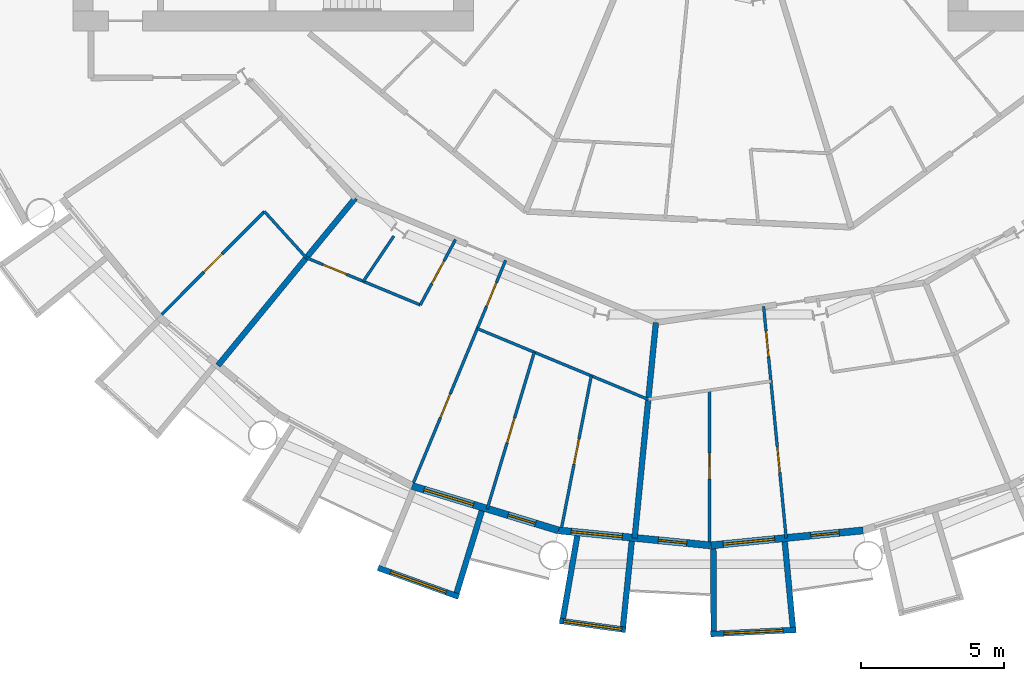
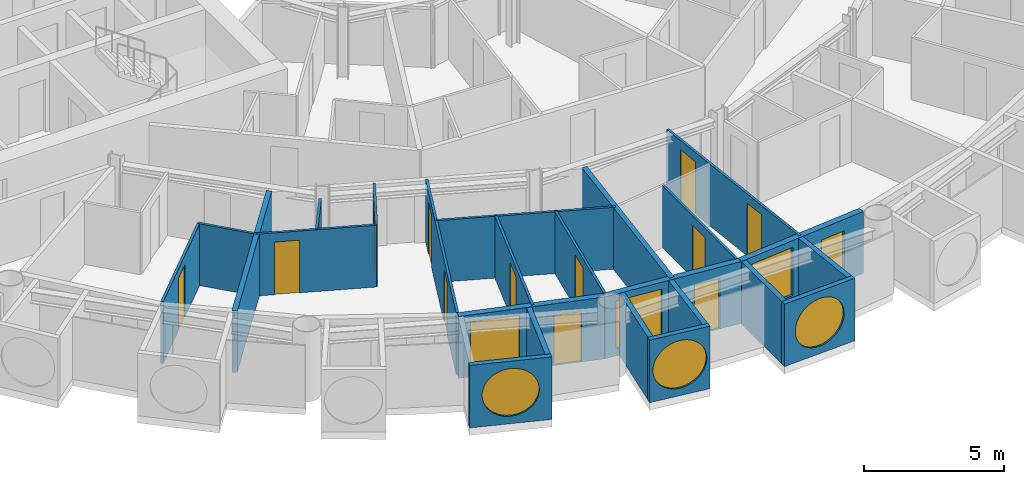
# One storey, part 13 of 26: 24 walls, 13 doors, 6 windows, 19 openings.
"""IFC4 building model written with IfcOpenShell, lengths in metres."""

from ifc_helpers import new_model, si_unit, direction, frame, frame_2d, origin, place, context, subcontext, project, spatial, rectangle, circle, extrude, material, layer, layer_set, type_object, element, fill, save


model = new_model("IFC4")

# Units and contexts
model_context = context("Model", 3, precision=1e-05, world=origin(), true_north=direction((0.0, 1.0)))
body_context = subcontext(model_context, "Body", "Model", "MODEL_VIEW")
ifc_project = project(units=[si_unit("LENGTHUNIT", "METRE"), si_unit("AREAUNIT", "SQUARE_METRE"), si_unit("VOLUMEUNIT", "CUBIC_METRE"), si_unit("PLANEANGLEUNIT", "RADIAN"), si_unit("MASSUNIT", "GRAM", prefix="KILO")], contexts=[model_context])

# Site, building, storey
site_placement = place(None, origin())
site = spatial("IfcSite", under=ifc_project, at=site_placement, CompositionType="ELEMENT")
building_placement = place(site_placement, origin())
building = spatial("IfcBuilding", under=site, at=building_placement, Name="Maasbend Ring Residences", CompositionType="ELEMENT")
storey_placement = place(building_placement, frame((0.0, 0.0, 75.800048828125)))
storey = spatial("IfcBuildingStorey", under=building, at=storey_placement, Name="L21", CompositionType="ELEMENT", Elevation=75.800048828125)

# Wall, opening, window
ifc_material_1 = material(Name="Pale anodised aluminium panel", Category="aluminium")
ifc_layer_1 = layer(ifc_material_1, 0.199951171875)
ifc_layer_set_1 = layer_set([ifc_layer_1], Name="EW-BOX")
wall_type_1 = type_object("IfcWallType", Name="EW-BOX", PredefinedType="SOLIDWALL", material=ifc_layer_set_1)
wall_1_placement = place(storey_placement, frame((-11.637939453125, -28.083984375, -0.030029296875), z_axis=(0.0, 0.0, 1.0), x_axis=(0.941461077774, -0.337121697664, 0.0)))
wall_1 = element("IfcWall", 1, at=wall_1_placement, inside=storey, type_object=wall_type_1, Name="Box front S07", PredefinedType="SOLIDWALL", context=body_context, shape_type="SweptSolid", body=[
    extrude(rectangle(XDim=2.9931640625, YDim=0.199951171875, at=frame_2d((1.49658203125, 0.0))), origin(), (0.0, 0.0, 1.0), 2.72998046875),
])
opening_1_placement = place(wall_1_placement, frame((0.45654296875, 0.0, 0.330078125)))
opening_1 = element("IfcOpeningElement", 2, at=opening_1_placement, cuts=wall_1, Name="Opening W-RD", PredefinedType="OPENING", context=body_context, shape_type="SweptSolid", body=[
    extrude(circle(Radius=1.0400390625, at=frame_2d((1.0400390625, 1.0400390625))), frame((0.0, 0.10986328125, 0.0), z_axis=(0.0, -1.0, 0.0), x_axis=(1.0, 0.0, 0.0)), (0.0, 0.0, 1.0), 0.219970703125),
])
ifc_material_2 = material(Name="Aluminium and clear glass", Category="aluminium")
window_type_1 = type_object("IfcWindowType", Name="W-RD", PartitioningType="SINGLE_PANEL", PredefinedType="WINDOW", material=ifc_material_2)
window_1_placement = place(opening_1_placement, origin())
window_1 = element("IfcWindow", 3, at=window_1_placement, inside=storey, type_object=window_type_1, Name="Round window S07", OverallHeight=2.080078125, OverallWidth=2.080078125, PartitioningType="SINGLE_PANEL", PredefinedType="WINDOW", context=body_context, shape_type="SweptSolid", body=[
    extrude(circle(Radius=1.0400390625, at=frame_2d((1.0400390625, 1.0400390625))), frame((0.0, 0.030029296875, 0.0), z_axis=(0.0, -1.0, 0.0), x_axis=(1.0, 0.0, 0.0)), (0.0, 0.0, 1.0), 0.06005859375),
])
fill(opening_1, window_1)

# Wall
wall_2_placement = place(storey_placement, frame((-8.009033203125, -26.092041015625, -0.030029296875), z_axis=(0.0, 0.0, 1.0), x_axis=(-0.293406695073, -0.955987715029, 0.0)))
element("IfcWall", 4, at=wall_2_placement, inside=storey, type_object=wall_type_1, Name="Box side wall S07 right", PredefinedType="SOLIDWALL", context=body_context, shape_type="SweptSolid", body=[
    extrude(rectangle(XDim=3.00634765625, YDim=0.199951171875, at=frame_2d((1.503173828125, 0.0))), origin(), (0.0, 0.0, 1.0), 2.72998046875),
])

# Wall, opening, window
wall_3_placement = place(storey_placement, frame((-5.2900390625, -29.93603515625, -0.030029296875), z_axis=(0.0, 0.0, 1.0), x_axis=(0.990696111261, -0.136092671119, 0.0)))
wall_3 = element("IfcWall", 5, at=wall_3_placement, inside=storey, type_object=wall_type_1, Name="Box front S09", PredefinedType="SOLIDWALL", context=body_context, shape_type="SweptSolid", body=[
    extrude(rectangle(XDim=2.335693359375, YDim=0.199951171875, at=frame_2d((1.16796875, 0.0))), origin(), (0.0, 0.0, 1.0), 2.72998046875),
])
opening_2_placement = place(wall_3_placement, frame((0.128173828125, 0.0, 0.330078125)))
opening_2 = element("IfcOpeningElement", 6, at=opening_2_placement, cuts=wall_3, Name="Opening W-RD", PredefinedType="OPENING", context=body_context, shape_type="SweptSolid", body=[
    extrude(circle(Radius=1.0400390625, at=frame_2d((1.0400390625, 1.0400390625))), frame((0.0, 0.10986328125, 0.0), z_axis=(0.0, -1.0, 0.0), x_axis=(1.0, 0.0, 0.0)), (0.0, 0.0, 1.0), 0.219970703125),
])
window_2_placement = place(opening_2_placement, origin())
window_2 = element("IfcWindow", 7, at=window_2_placement, inside=storey, type_object=window_type_1, Name="Round window S09", OverallHeight=2.080078125, OverallWidth=2.080078125, PartitioningType="SINGLE_PANEL", PredefinedType="WINDOW", context=body_context, shape_type="SweptSolid", body=[
    extrude(circle(Radius=1.0400390625, at=frame_2d((1.0400390625, 1.0400390625))), frame((0.0, 0.030029296875, 0.0), z_axis=(0.0, -1.0, 0.0), x_axis=(1.0, 0.0, 0.0)), (0.0, 0.0, 1.0), 0.06005859375),
])
fill(opening_2, window_2)

# Walls
wall_4_placement = place(storey_placement, frame((-4.6708984375, -26.966064453125, -0.030029296875), z_axis=(0.0, 0.0, 1.0), x_axis=(-0.170539878907, -0.985350774954, 0.0)))
element("IfcWall", 8, at=wall_4_placement, inside=storey, type_object=wall_type_1, Name="Box side wall S09 left", PredefinedType="SOLIDWALL", context=body_context, shape_type="SweptSolid", body=[
    extrude(rectangle(XDim=2.931884765625, YDim=0.199951171875, at=frame_2d((1.4658203125, 0.0))), origin(), (0.0, 0.0, 1.0), 2.72998046875),
])
wall_5_placement = place(storey_placement, frame((-2.763916015625, -27.153076171875, -0.030029296875), z_axis=(0.0, 0.0, 1.0), x_axis=(-0.101505487237, -0.994834979311, 0.0)))
element("IfcWall", 9, at=wall_5_placement, inside=storey, type_object=wall_type_1, Name="Box side wall S09 right", PredefinedType="SOLIDWALL", context=body_context, shape_type="SweptSolid", body=[
    extrude(rectangle(XDim=3.006591796875, YDim=0.199951171875, at=frame_2d((1.50341796875, 0.0))), origin(), (0.0, 0.0, 1.0), 2.72998046875),
])

# Wall, opening, window
wall_6_placement = place(storey_placement, frame((-0.0048828125, -30.39990234375, -0.030029296875), z_axis=(0.0, 0.0, 1.0), x_axis=(0.998794083011, 0.049095618353, 0.0)))
wall_6 = element("IfcWall", 10, at=wall_6_placement, inside=storey, type_object=wall_type_1, Name="Box front S11", PredefinedType="SOLIDWALL", context=body_context, shape_type="SweptSolid", body=[
    extrude(rectangle(XDim=2.99365234375, YDim=0.199951171875, at=frame_2d((1.496826171875, 0.0))), origin(), (0.0, 0.0, 1.0), 2.72998046875),
])
opening_3_placement = place(wall_6_placement, frame((0.45654296875, 0.0, 0.330078125)))
opening_3 = element("IfcOpeningElement", 11, at=opening_3_placement, cuts=wall_6, Name="Opening W-RD", PredefinedType="OPENING", context=body_context, shape_type="SweptSolid", body=[
    extrude(circle(Radius=1.0400390625, at=frame_2d((1.0400390625, 1.0400390625))), frame((0.0, 0.10986328125, 0.0), z_axis=(0.0, -1.0, 0.0), x_axis=(1.0, 0.0, 0.0)), (0.0, 0.0, 1.0), 0.219970703125),
])
window_3_placement = place(opening_3_placement, origin())
window_3 = element("IfcWindow", 12, at=window_3_placement, inside=storey, type_object=window_type_1, Name="Round window S11", OverallHeight=2.080078125, OverallWidth=2.080078125, PartitioningType="SINGLE_PANEL", PredefinedType="WINDOW", context=body_context, shape_type="SweptSolid", body=[
    extrude(circle(Radius=1.0400390625, at=frame_2d((1.0400390625, 1.0400390625))), frame((0.0, 0.030029296875, 0.0), z_axis=(0.0, -1.0, 0.0), x_axis=(1.0, 0.0, 0.0)), (0.0, 0.0, 1.0), 0.06005859375),
])
fill(opening_3, window_3)

# Walls
wall_7_placement = place(storey_placement, frame((0.090087890625, -27.4169921875, -0.030029296875), z_axis=(0.0, 0.0, 1.0), x_axis=(0.00347308367, -0.999993968827, 0.0)))
element("IfcWall", 13, at=wall_7_placement, inside=storey, type_object=wall_type_1, Name="Box side wall S11 left", PredefinedType="SOLIDWALL", context=body_context, shape_type="SweptSolid", body=[
    extrude(rectangle(XDim=2.882080078125, YDim=0.199951171875, at=frame_2d((1.44091796875, 0.0))), origin(), (0.0, 0.0, 1.0), 2.72998046875),
])
wall_8_placement = place(storey_placement, frame((2.5859375, -27.1708984375, -0.030029296875), z_axis=(0.0, 0.0, 1.0), x_axis=(0.094548432284, -0.995520262954, 0.0)))
element("IfcWall", 14, at=wall_8_placement, inside=storey, type_object=wall_type_1, Name="Box side wall S11 right", PredefinedType="SOLIDWALL", context=body_context, shape_type="SweptSolid", body=[
    extrude(rectangle(XDim=3.005615234375, YDim=0.199951171875, at=frame_2d((1.5029296875, 0.0))), origin(), (0.0, 0.0, 1.0), 2.72998046875),
])

# Wall, openings, door, window
ifc_material_3 = material(Name="Aluminium clad insulated panel", Category="aluminium")
ifc_layer_2 = layer(ifc_material_3, 0.25)
ifc_layer_set_2 = layer_set([ifc_layer_2], Name="EW-GL")
wall_type_2 = type_object("IfcWallType", Name="EW-GL", PredefinedType="SOLIDWALL", material=ifc_layer_set_2)
wall_9_placement = place(storey_placement, frame((-10.447021484375, -25.221923828125, 0.0), z_axis=(0.0, 0.0, 1.0), x_axis=(0.956965678721, -0.290201119486, 0.0)))
wall_9 = element("IfcWall", 15, at=wall_9_placement, inside=storey, type_object=wall_type_2, Name="External wall S04", PredefinedType="SOLIDWALL", context=body_context, shape_type="SweptSolid", body=[
    extrude(rectangle(XDim=5.351318359375, YDim=0.25, at=frame_2d((2.67578125, 0.0))), origin(), (0.0, 0.0, 1.0), 2.699951171875),
])
opening_4_placement = place(wall_9_placement, frame((0.441162109375, 0.0, 0.300048828125)))
opening_4 = element("IfcOpeningElement", 16, at=opening_4_placement, cuts=wall_9, Name="Opening W-BX", PredefinedType="OPENING", context=body_context, shape_type="SweptSolid", body=[
    extrude(rectangle(XDim=1.800048828125, YDim=2.10009765625, at=frame_2d((0.89990234375, 1.050048828125))), frame((0.0, 0.135009765625, 0.0), z_axis=(0.0, -1.0, 0.0), x_axis=(1.0, 0.0, 0.0)), (0.0, 0.0, 1.0), 0.27001953125),
])
opening_5_placement = place(wall_9_placement, frame((3.510498046875, 0.0, 0.0)))
opening_5 = element("IfcOpeningElement", 17, at=opening_5_placement, cuts=wall_9, Name="Opening D-LG", PredefinedType="OPENING", context=body_context, shape_type="SweptSolid", body=[
    extrude(rectangle(XDim=1.0, YDim=2.199951171875, at=frame_2d((0.5, 1.10009765625))), frame((0.0, 0.135009765625, 0.0), z_axis=(0.0, -1.0, 0.0), x_axis=(1.0, 0.0, 0.0)), (0.0, 0.0, 1.0), 0.27001953125),
])
ifc_material_4 = material(Name="Aluminium and clear glass", Category="aluminium")
door_type_1 = type_object("IfcDoorType", Name="D-LG", OperationType="SINGLE_SWING_LEFT", PredefinedType="DOOR", material=ifc_material_4)
door_1_placement = place(opening_5_placement, origin())
door_1 = element("IfcDoor", 18, at=door_1_placement, inside=storey, type_object=door_type_1, Name="Loggia door S08", OperationType="SINGLE_SWING_LEFT", OverallHeight=2.199951171875, OverallWidth=1.0, PredefinedType="DOOR", context=body_context, shape_type="SweptSolid", body=[
    extrude(rectangle(XDim=1.0, YDim=2.199951171875, at=frame_2d((0.5, 1.10009765625))), frame((0.0, 0.02490234375, 0.0), z_axis=(0.0, -1.0, 0.0), x_axis=(1.0, 0.0, 0.0)), (0.0, 0.0, 1.0), 0.050048828125),
])
fill(opening_5, door_1)
ifc_material_5 = material(Name="Aluminium and clear glass", Category="aluminium")
window_type_2 = type_object("IfcWindowType", Name="W-BX", PartitioningType="DOUBLE_PANEL_VERTICAL", PredefinedType="WINDOW", material=ifc_material_5)
window_4_placement = place(opening_4_placement, origin())
window_4 = element("IfcWindow", 19, at=window_4_placement, inside=storey, type_object=window_type_2, Name="Window S07 room to box", OverallHeight=2.10009765625, OverallWidth=1.800048828125, PartitioningType="SINGLE_PANEL", PredefinedType="WINDOW", context=body_context, shape_type="SweptSolid", body=[
    extrude(rectangle(XDim=1.800048828125, YDim=2.10009765625, at=frame_2d((0.89990234375, 1.050048828125))), frame((0.0, 0.030029296875, 0.0), z_axis=(0.0, -1.0, 0.0), x_axis=(1.0, 0.0, 0.0)), (0.0, 0.0, 1.0), 0.06005859375),
])
fill(opening_4, window_4)

wall_10_placement = place(storey_placement, frame((-5.325927734375, -26.77490234375, 0.0), z_axis=(0.0, 0.0, 1.0), x_axis=(0.995173996315, -0.098126026407, 0.0)))
wall_10 = element("IfcWall", 20, at=wall_10_placement, inside=storey, type_object=wall_type_2, Name="External wall S05", PredefinedType="SOLIDWALL", context=body_context, shape_type="SweptSolid", body=[
    extrude(rectangle(XDim=5.351806640625, YDim=0.25, at=frame_2d((2.67578125, 0.0))), origin(), (0.0, 0.0, 1.0), 2.699951171875),
])
opening_6_placement = place(wall_10_placement, frame((0.441162109375, 0.0, 0.300048828125)))
opening_6 = element("IfcOpeningElement", 21, at=opening_6_placement, cuts=wall_10, Name="Opening W-BX", PredefinedType="OPENING", context=body_context, shape_type="SweptSolid", body=[
    extrude(rectangle(XDim=1.800048828125, YDim=2.10009765625, at=frame_2d((0.89990234375, 1.050048828125))), frame((0.0, 0.135009765625, 0.0), z_axis=(0.0, -1.0, 0.0), x_axis=(1.0, 0.0, 0.0)), (0.0, 0.0, 1.0), 0.27001953125),
])
opening_7_placement = place(wall_10_placement, frame((3.510498046875, 0.0, 0.0)))
opening_7 = element("IfcOpeningElement", 22, at=opening_7_placement, cuts=wall_10, Name="Opening D-LG", PredefinedType="OPENING", context=body_context, shape_type="SweptSolid", body=[
    extrude(rectangle(XDim=1.0, YDim=2.199951171875, at=frame_2d((0.5, 1.10009765625))), frame((0.0, 0.135009765625, 0.0), z_axis=(0.0, -1.0, 0.0), x_axis=(1.0, 0.0, 0.0)), (0.0, 0.0, 1.0), 0.27001953125),
])
door_2_placement = place(opening_7_placement, origin())
door_2 = element("IfcDoor", 23, at=door_2_placement, inside=storey, type_object=door_type_1, Name="Loggia door S10", OperationType="SINGLE_SWING_LEFT", OverallHeight=2.199951171875, OverallWidth=1.0, PredefinedType="DOOR", context=body_context, shape_type="SweptSolid", body=[
    extrude(rectangle(XDim=1.0, YDim=2.199951171875, at=frame_2d((0.5, 1.10009765625))), frame((0.0, 0.02490234375, 0.0), z_axis=(0.0, -1.0, 0.0), x_axis=(1.0, 0.0, 0.0)), (0.0, 0.0, 1.0), 0.050048828125),
])
fill(opening_7, door_2)
window_5_placement = place(opening_6_placement, origin())
window_5 = element("IfcWindow", 24, at=window_5_placement, inside=storey, type_object=window_type_2, Name="Window S09 room to box", OverallHeight=2.10009765625, OverallWidth=1.800048828125, PartitioningType="SINGLE_PANEL", PredefinedType="WINDOW", context=body_context, shape_type="SweptSolid", body=[
    extrude(rectangle(XDim=1.800048828125, YDim=2.10009765625, at=frame_2d((0.89990234375, 1.050048828125))), frame((0.0, 0.030029296875, 0.0), z_axis=(0.0, -1.0, 0.0), x_axis=(1.0, 0.0, 0.0)), (0.0, 0.0, 1.0), 0.06005859375),
])
fill(opening_6, window_5)

wall_11_placement = place(storey_placement, frame((0.0, -27.300048828125, 0.0), z_axis=(0.0, 0.0, 1.0), x_axis=(0.995173996315, 0.098126026407, 0.0)))
wall_11 = element("IfcWall", 25, at=wall_11_placement, inside=storey, type_object=wall_type_2, Name="External wall S06", PredefinedType="SOLIDWALL", context=body_context, shape_type="SweptSolid", body=[
    extrude(rectangle(XDim=5.351806640625, YDim=0.25, at=frame_2d((2.67578125, 0.0))), origin(), (0.0, 0.0, 1.0), 2.699951171875),
])
opening_8_placement = place(wall_11_placement, frame((0.441162109375, 0.0, 0.300048828125)))
opening_8 = element("IfcOpeningElement", 26, at=opening_8_placement, cuts=wall_11, Name="Opening W-BX", PredefinedType="OPENING", context=body_context, shape_type="SweptSolid", body=[
    extrude(rectangle(XDim=1.800048828125, YDim=2.10009765625, at=frame_2d((0.89990234375, 1.050048828125))), frame((0.0, 0.135009765625, 0.0), z_axis=(0.0, -1.0, 0.0), x_axis=(1.0, 0.0, 0.0)), (0.0, 0.0, 1.0), 0.27001953125),
])
opening_9_placement = place(wall_11_placement, frame((3.510498046875, 0.0, 0.0)))
opening_9 = element("IfcOpeningElement", 27, at=opening_9_placement, cuts=wall_11, Name="Opening D-LG", PredefinedType="OPENING", context=body_context, shape_type="SweptSolid", body=[
    extrude(rectangle(XDim=1.0, YDim=2.199951171875, at=frame_2d((0.5, 1.10009765625))), frame((0.0, 0.135009765625, 0.0), z_axis=(0.0, -1.0, 0.0), x_axis=(1.0, 0.0, 0.0)), (0.0, 0.0, 1.0), 0.27001953125),
])
door_3_placement = place(opening_9_placement, origin())
door_3 = element("IfcDoor", 28, at=door_3_placement, inside=storey, type_object=door_type_1, Name="Loggia door S12", OperationType="SINGLE_SWING_LEFT", OverallHeight=2.199951171875, OverallWidth=1.0, PredefinedType="DOOR", context=body_context, shape_type="SweptSolid", body=[
    extrude(rectangle(XDim=1.0, YDim=2.199951171875, at=frame_2d((0.5, 1.10009765625))), frame((0.0, 0.02490234375, 0.0), z_axis=(0.0, -1.0, 0.0), x_axis=(1.0, 0.0, 0.0)), (0.0, 0.0, 1.0), 0.050048828125),
])
fill(opening_9, door_3)
window_6_placement = place(opening_8_placement, origin())
window_6 = element("IfcWindow", 29, at=window_6_placement, inside=storey, type_object=window_type_2, Name="Window S11 room to box", OverallHeight=2.10009765625, OverallWidth=1.800048828125, PartitioningType="SINGLE_PANEL", PredefinedType="WINDOW", context=body_context, shape_type="SweptSolid", body=[
    extrude(rectangle(XDim=1.800048828125, YDim=2.10009765625, at=frame_2d((0.89990234375, 1.050048828125))), frame((0.0, 0.030029296875, 0.0), z_axis=(0.0, -1.0, 0.0), x_axis=(1.0, 0.0, 0.0)), (0.0, 0.0, 1.0), 0.06005859375),
])
fill(opening_8, window_6)

# Wall
ifc_material_6 = material(Name="Gypsum board on steel studs", Category="steel")
ifc_layer_3 = layer(ifc_material_6, 0.10009765625)
ifc_layer_set_3 = layer_set([ifc_layer_3], Name="PARTITION 100 GYPSUM")
wall_type_3 = type_object("IfcWallType", Name="PARTITION 100 GYPSUM", PredefinedType="PARTITIONING", material=ifc_layer_set_3)
wall_12_placement = place(storey_placement, frame((-15.616943359375, -15.616943359375, 0.0), z_axis=(0.0, 0.0, 1.0), x_axis=(0.671144831591, -0.741326254107, 0.0)))
element("IfcWall", 30, at=wall_12_placement, inside=storey, type_object=wall_type_3, Name="U-L21-w002", PredefinedType="PARTITIONING", context=body_context, shape_type="SweptSolid", body=[
    extrude(rectangle(XDim=2.18115234375, YDim=0.10009765625, at=frame_2d((1.090576171875, 0.0))), origin(), (0.0, 0.0, 1.0), 2.699951171875),
])

# Wall, opening, door
wall_13_placement = place(storey_placement, frame((-14.14990234375, -17.236083984375, 0.0), z_axis=(0.0, 0.0, 1.0), x_axis=(0.923789421174, -0.382900907975, 0.0)))
wall_13 = element("IfcWall", 31, at=wall_13_placement, inside=storey, type_object=wall_type_3, Name="U-L21-w011", PredefinedType="PARTITIONING", context=body_context, shape_type="SweptSolid", body=[
    extrude(rectangle(XDim=4.319091796875, YDim=0.10009765625, at=frame_2d((2.15966796875, 0.0))), origin(), (0.0, 0.0, 1.0), 2.699951171875),
])
opening_10_placement = place(wall_13_placement, frame((0.634033203125, 0.0, 0.0)))
opening_10 = element("IfcOpeningElement", 32, at=opening_10_placement, cuts=wall_13, Name="Opening D-2137", PredefinedType="OPENING", context=body_context, shape_type="SweptSolid", body=[
    extrude(rectangle(XDim=0.89990234375, YDim=2.300048828125, at=frame_2d((0.449951171875, 1.14990234375))), frame((0.0, 0.06005859375, 0.0), z_axis=(0.0, -1.0, 0.0), x_axis=(1.0, 0.0, 0.0)), (0.0, 0.0, 1.0), 0.1201171875),
])
ifc_material_7 = material(Name="Timber, painted", Category="wood")
door_type_2 = type_object("IfcDoorType", Name="INTERNAL DOOR 900 X 2300", OperationType="NOTDEFINED", PredefinedType="DOOR", material=ifc_material_7)
door_4_placement = place(opening_10_placement, origin())
door_4 = element("IfcDoor", 33, at=door_4_placement, inside=storey, type_object=door_type_2, Name="D-2137", OperationType="SINGLE_SWING_LEFT", OverallHeight=2.300048828125, OverallWidth=0.89990234375, PredefinedType="DOOR", context=body_context, shape_type="SweptSolid", body=[
    extrude(rectangle(XDim=0.89990234375, YDim=2.300048828125, at=frame_2d((0.449951171875, 1.14990234375))), frame((0.0, 0.02490234375, 0.0), z_axis=(0.0, -1.0, 0.0), x_axis=(1.0, 0.0, 0.0)), (0.0, 0.0, 1.0), 0.050048828125),
])
fill(opening_10, door_4)

# Wall
wall_14_placement = place(storey_placement, frame((-8.16796875, -19.716064453125, 0.0), z_axis=(0.0, 0.0, 1.0), x_axis=(0.923791567638, -0.382895729358, 0.0)))
element("IfcWall", 34, at=wall_14_placement, inside=storey, type_object=wall_type_3, Name="U-L21-w012", PredefinedType="PARTITIONING", context=body_context, shape_type="SweptSolid", body=[
    extrude(rectangle(XDim=6.474365234375, YDim=0.10009765625, at=frame_2d((3.2373046875, 0.0))), origin(), (0.0, 0.0, 1.0), 2.699951171875),
])

# Wall, opening, door
wall_15_placement = place(storey_placement, frame((-19.2099609375, -19.221923828125, 0.0), z_axis=(0.0, 0.0, 1.0), x_axis=(0.706914880313, 0.707298629994, 0.0)))
wall_15 = element("IfcWall", 35, at=wall_15_placement, inside=storey, type_object=wall_type_3, Name="U-L21-w039", PredefinedType="PARTITIONING", context=body_context, shape_type="SweptSolid", body=[
    extrude(rectangle(XDim=5.089599609375, YDim=0.10009765625, at=frame_2d((2.544921875, 0.0))), origin(), (0.0, 0.0, 1.0), 2.699951171875),
])
opening_11_placement = place(wall_15_placement, frame((2.094970703125, 0.0, 0.0)))
opening_11 = element("IfcOpeningElement", 36, at=opening_11_placement, cuts=wall_15, Name="Opening D-2135", PredefinedType="OPENING", context=body_context, shape_type="SweptSolid", body=[
    extrude(rectangle(XDim=0.89990234375, YDim=2.300048828125, at=frame_2d((0.449951171875, 1.14990234375))), frame((0.0, 0.06005859375, 0.0), z_axis=(0.0, -1.0, 0.0), x_axis=(1.0, 0.0, 0.0)), (0.0, 0.0, 1.0), 0.1201171875),
])
door_5_placement = place(opening_11_placement, origin())
door_5 = element("IfcDoor", 37, at=door_5_placement, inside=storey, type_object=door_type_2, Name="D-2135", OperationType="SINGLE_SWING_RIGHT", OverallHeight=2.300048828125, OverallWidth=0.89990234375, PredefinedType="DOOR", context=body_context, shape_type="SweptSolid", body=[
    extrude(rectangle(XDim=0.89990234375, YDim=2.300048828125, at=frame_2d((0.449951171875, 1.14990234375))), frame((0.0, 0.02490234375, 0.0), z_axis=(0.0, -1.0, 0.0), x_axis=(1.0, 0.0, 0.0)), (0.0, 0.0, 1.0), 0.050048828125),
])
fill(opening_11, door_5)

# Wall
wall_16_placement = place(storey_placement, frame((-12.153076171875, -18.06396484375, 0.0), z_axis=(0.0, 0.0, 1.0), x_axis=(0.558383137663, 0.829583191472, 0.0)))
element("IfcWall", 38, at=wall_16_placement, inside=storey, type_object=wall_type_3, Name="U-L21-w046", PredefinedType="PARTITIONING", context=body_context, shape_type="SweptSolid", body=[
    extrude(rectangle(XDim=1.909423828125, YDim=0.10009765625, at=frame_2d((0.95458984375, 0.0))), origin(), (0.0, 0.0, 1.0), 2.699951171875),
])

# Wall, openings, doors
wall_17_placement = place(storey_placement, frame((-10.39892578125, -25.10595703125, 0.0), z_axis=(0.0, 0.0, 1.0), x_axis=(0.382697543868, 0.923873687209, 0.0)))
wall_17 = element("IfcWall", 39, at=wall_17_placement, inside=storey, type_object=wall_type_3, Name="U-L21-w048", PredefinedType="PARTITIONING", context=body_context, shape_type="SweptSolid", body=[
    extrude(rectangle(XDim=8.4189453125, YDim=0.10009765625, at=frame_2d((4.20947265625, 0.0))), origin(), (0.0, 0.0, 1.0), 2.699951171875),
])
opening_12_placement = place(wall_17_placement, frame((6.677978515625, 0.0, 0.0)))
opening_12 = element("IfcOpeningElement", 40, at=opening_12_placement, cuts=wall_17, Name="Opening D-2139", PredefinedType="OPENING", context=body_context, shape_type="SweptSolid", body=[
    extrude(rectangle(XDim=0.89990234375, YDim=2.300048828125, at=frame_2d((0.449951171875, 1.14990234375))), frame((0.0, 0.06005859375, 0.0), z_axis=(0.0, -1.0, 0.0), x_axis=(1.0, 0.0, 0.0)), (0.0, 0.0, 1.0), 0.1201171875),
])
opening_13_placement = place(wall_17_placement, frame((2.468017578125, 0.0, 0.0)))
opening_13 = element("IfcOpeningElement", 41, at=opening_13_placement, cuts=wall_17, Name="Opening D-2140", PredefinedType="OPENING", context=body_context, shape_type="SweptSolid", body=[
    extrude(rectangle(XDim=0.89990234375, YDim=2.300048828125, at=frame_2d((0.449951171875, 1.14990234375))), frame((0.0, 0.06005859375, 0.0), z_axis=(0.0, -1.0, 0.0), x_axis=(1.0, 0.0, 0.0)), (0.0, 0.0, 1.0), 0.1201171875),
])
door_6_placement = place(opening_12_placement, origin())
door_6 = element("IfcDoor", 42, at=door_6_placement, inside=storey, type_object=door_type_2, Name="D-2139", OperationType="SINGLE_SWING_RIGHT", OverallHeight=2.300048828125, OverallWidth=0.89990234375, PredefinedType="DOOR", context=body_context, shape_type="SweptSolid", body=[
    extrude(rectangle(XDim=0.89990234375, YDim=2.300048828125, at=frame_2d((0.449951171875, 1.14990234375))), frame((0.0, 0.02490234375, 0.0), z_axis=(0.0, -1.0, 0.0), x_axis=(1.0, 0.0, 0.0)), (0.0, 0.0, 1.0), 0.050048828125),
])
fill(opening_12, door_6)
door_7_placement = place(opening_13_placement, origin())
door_7 = element("IfcDoor", 43, at=door_7_placement, inside=storey, type_object=door_type_2, Name="D-2140", OperationType="SINGLE_SWING_LEFT", OverallHeight=2.300048828125, OverallWidth=0.89990234375, PredefinedType="DOOR", context=body_context, shape_type="SweptSolid", body=[
    extrude(rectangle(XDim=0.89990234375, YDim=2.300048828125, at=frame_2d((0.449951171875, 1.14990234375))), frame((0.0, 0.02490234375, 0.0), z_axis=(0.0, -1.0, 0.0), x_axis=(1.0, 0.0, 0.0)), (0.0, 0.0, 1.0), 0.050048828125),
])
fill(opening_13, door_7)

# Wall, opening, door
wall_18_placement = place(storey_placement, frame((-10.159912109375, -18.889892578125, 0.0), z_axis=(0.0, 0.0, 1.0), x_axis=(0.4736792609, 0.880697426925, 0.0)))
wall_18 = element("IfcWall", 44, at=wall_18_placement, inside=storey, type_object=wall_type_3, Name="U-L21-w049", PredefinedType="PARTITIONING", context=body_context, shape_type="SweptSolid", body=[
    extrude(rectangle(XDim=2.5966796875, YDim=0.10009765625, at=frame_2d((1.29833984375, 0.0))), origin(), (0.0, 0.0, 1.0), 2.699951171875),
])
opening_14_placement = place(wall_18_placement, frame((0.847900390625, 0.0, 0.0)))
opening_14 = element("IfcOpeningElement", 45, at=opening_14_placement, cuts=wall_18, Name="Opening D-2138", PredefinedType="OPENING", context=body_context, shape_type="SweptSolid", body=[
    extrude(rectangle(XDim=0.89990234375, YDim=2.300048828125, at=frame_2d((0.449951171875, 1.14990234375))), frame((0.0, 0.06005859375, 0.0), z_axis=(0.0, -1.0, 0.0), x_axis=(1.0, 0.0, 0.0)), (0.0, 0.0, 1.0), 0.1201171875),
])
door_8_placement = place(opening_14_placement, origin())
door_8 = element("IfcDoor", 46, at=door_8_placement, inside=storey, type_object=door_type_2, Name="D-2138", OperationType="SINGLE_SWING_LEFT", OverallHeight=2.300048828125, OverallWidth=0.89990234375, PredefinedType="DOOR", context=body_context, shape_type="SweptSolid", body=[
    extrude(rectangle(XDim=0.89990234375, YDim=2.300048828125, at=frame_2d((0.449951171875, 1.14990234375))), frame((0.0, 0.02490234375, 0.0), z_axis=(0.0, -1.0, 0.0), x_axis=(1.0, 0.0, 0.0)), (0.0, 0.0, 1.0), 0.050048828125),
])
fill(opening_14, door_8)

wall_19_placement = place(storey_placement, frame((-7.821044921875, -26.02490234375, 0.0), z_axis=(0.0, 0.0, 1.0), x_axis=(0.287793773423, 0.957692405723, 0.0)))
wall_19 = element("IfcWall", 47, at=wall_19_placement, inside=storey, type_object=wall_type_3, Name="U-L21-w054", PredefinedType="PARTITIONING", context=body_context, shape_type="SweptSolid", body=[
    extrude(rectangle(XDim=5.72607421875, YDim=0.10009765625, at=frame_2d((2.863037109375, 0.0))), origin(), (0.0, 0.0, 1.0), 2.699951171875),
])
opening_15_placement = place(wall_19_placement, frame((2.4130859375, 0.0, 0.0)))
opening_15 = element("IfcOpeningElement", 48, at=opening_15_placement, cuts=wall_19, Name="Opening D-2141", PredefinedType="OPENING", context=body_context, shape_type="SweptSolid", body=[
    extrude(rectangle(XDim=0.89990234375, YDim=2.300048828125, at=frame_2d((0.449951171875, 1.14990234375))), frame((0.0, 0.06005859375, 0.0), z_axis=(0.0, -1.0, 0.0), x_axis=(1.0, 0.0, 0.0)), (0.0, 0.0, 1.0), 0.1201171875),
])
door_9_placement = place(opening_15_placement, origin())
door_9 = element("IfcDoor", 49, at=door_9_placement, inside=storey, type_object=door_type_2, Name="D-2141", OperationType="SINGLE_SWING_LEFT", OverallHeight=2.300048828125, OverallWidth=0.89990234375, PredefinedType="DOOR", context=body_context, shape_type="SweptSolid", body=[
    extrude(rectangle(XDim=0.89990234375, YDim=2.300048828125, at=frame_2d((0.449951171875, 1.14990234375))), frame((0.0, 0.02490234375, 0.0), z_axis=(0.0, -1.0, 0.0), x_axis=(1.0, 0.0, 0.0)), (0.0, 0.0, 1.0), 0.050048828125),
])
fill(opening_15, door_9)

wall_20_placement = place(storey_placement, frame((-5.217041015625, -26.669921875, 0.0), z_axis=(0.0, 0.0, 1.0), x_axis=(0.192109041462, 0.981373586453, 0.0)))
wall_20 = element("IfcWall", 50, at=wall_20_placement, inside=storey, type_object=wall_type_3, Name="U-L21-w057", PredefinedType="PARTITIONING", context=body_context, shape_type="SweptSolid", body=[
    extrude(rectangle(XDim=5.403564453125, YDim=0.10009765625, at=frame_2d((2.70166015625, 0.0))), origin(), (0.0, 0.0, 1.0), 2.699951171875),
])
opening_16_placement = place(wall_20_placement, frame((2.251953125, 0.0, 0.0)))
opening_16 = element("IfcOpeningElement", 51, at=opening_16_placement, cuts=wall_20, Name="Opening D-2142", PredefinedType="OPENING", context=body_context, shape_type="SweptSolid", body=[
    extrude(rectangle(XDim=0.89990234375, YDim=2.300048828125, at=frame_2d((0.449951171875, 1.14990234375))), frame((0.0, 0.06005859375, 0.0), z_axis=(0.0, -1.0, 0.0), x_axis=(1.0, 0.0, 0.0)), (0.0, 0.0, 1.0), 0.1201171875),
])
door_10_placement = place(opening_16_placement, origin())
door_10 = element("IfcDoor", 52, at=door_10_placement, inside=storey, type_object=door_type_2, Name="D-2142", OperationType="SINGLE_SWING_RIGHT", OverallHeight=2.300048828125, OverallWidth=0.89990234375, PredefinedType="DOOR", context=body_context, shape_type="SweptSolid", body=[
    extrude(rectangle(XDim=0.89990234375, YDim=2.300048828125, at=frame_2d((0.449951171875, 1.14990234375))), frame((0.0, 0.02490234375, 0.0), z_axis=(0.0, -1.0, 0.0), x_axis=(1.0, 0.0, 0.0)), (0.0, 0.0, 1.0), 0.050048828125),
])
fill(opening_16, door_10)

wall_21_placement = place(storey_placement, frame((-0.052001953125, -27.175048828125, 0.0), z_axis=(0.0, 0.0, 1.0), x_axis=(0.001888614256, 0.999998216567, 0.0)))
wall_21 = element("IfcWall", 53, at=wall_21_placement, inside=storey, type_object=wall_type_3, Name="U-L21-w064", PredefinedType="PARTITIONING", context=body_context, shape_type="SweptSolid", body=[
    extrude(rectangle(XDim=5.300048828125, YDim=0.10009765625, at=frame_2d((2.64990234375, 0.0))), origin(), (0.0, 0.0, 1.0), 2.699951171875),
])
opening_17_placement = place(wall_21_placement, frame((2.199951171875, 0.0, 0.0)))
opening_17 = element("IfcOpeningElement", 54, at=opening_17_placement, cuts=wall_21, Name="Opening D-2148", PredefinedType="OPENING", context=body_context, shape_type="SweptSolid", body=[
    extrude(rectangle(XDim=0.89990234375, YDim=2.300048828125, at=frame_2d((0.449951171875, 1.14990234375))), frame((0.0, 0.06005859375, 0.0), z_axis=(0.0, -1.0, 0.0), x_axis=(1.0, 0.0, 0.0)), (0.0, 0.0, 1.0), 0.1201171875),
])
door_11_placement = place(opening_17_placement, origin())
door_11 = element("IfcDoor", 55, at=door_11_placement, inside=storey, type_object=door_type_2, Name="D-2148", OperationType="SINGLE_SWING_RIGHT", OverallHeight=2.300048828125, OverallWidth=0.89990234375, PredefinedType="DOOR", context=body_context, shape_type="SweptSolid", body=[
    extrude(rectangle(XDim=0.89990234375, YDim=2.300048828125, at=frame_2d((0.449951171875, 1.14990234375))), frame((0.0, 0.02490234375, 0.0), z_axis=(0.0, -1.0, 0.0), x_axis=(1.0, 0.0, 0.0)), (0.0, 0.0, 1.0), 0.050048828125),
])
fill(opening_17, door_11)

# Wall, openings, doors
wall_22_placement = place(storey_placement, frame((1.847900390625, -18.947021484375, 0.0), z_axis=(0.0, 0.0, 1.0), x_axis=(0.09695500902, -0.995288765246, 0.0)))
wall_22 = element("IfcWall", 56, at=wall_22_placement, inside=storey, type_object=wall_type_3, Name="U-L21-w069", PredefinedType="PARTITIONING", context=body_context, shape_type="SweptSolid", body=[
    extrude(rectangle(XDim=8.138427734375, YDim=0.10009765625, at=frame_2d((4.0693359375, 0.0))), origin(), (0.0, 0.0, 1.0), 2.699951171875),
])
opening_18_placement = place(wall_22_placement, frame((0.861083984375, 0.0, 0.0)))
opening_18 = element("IfcOpeningElement", 57, at=opening_18_placement, cuts=wall_22, Name="Opening D-2146", PredefinedType="OPENING", context=body_context, shape_type="SweptSolid", body=[
    extrude(rectangle(XDim=0.89990234375, YDim=2.300048828125, at=frame_2d((0.449951171875, 1.14990234375))), frame((0.0, 0.06005859375, 0.0), z_axis=(0.0, -1.0, 0.0), x_axis=(1.0, 0.0, 0.0)), (0.0, 0.0, 1.0), 0.1201171875),
])
opening_19_placement = place(wall_22_placement, frame((4.929931640625, 0.0, 0.0)))
opening_19 = element("IfcOpeningElement", 58, at=opening_19_placement, cuts=wall_22, Name="Opening D-2147", PredefinedType="OPENING", context=body_context, shape_type="SweptSolid", body=[
    extrude(rectangle(XDim=0.89990234375, YDim=2.300048828125, at=frame_2d((0.449951171875, 1.14990234375))), frame((0.0, 0.06005859375, 0.0), z_axis=(0.0, -1.0, 0.0), x_axis=(1.0, 0.0, 0.0)), (0.0, 0.0, 1.0), 0.1201171875),
])
door_12_placement = place(opening_18_placement, origin())
door_12 = element("IfcDoor", 59, at=door_12_placement, inside=storey, type_object=door_type_2, Name="D-2146", OperationType="SINGLE_SWING_LEFT", OverallHeight=2.300048828125, OverallWidth=0.89990234375, PredefinedType="DOOR", context=body_context, shape_type="SweptSolid", body=[
    extrude(rectangle(XDim=0.89990234375, YDim=2.300048828125, at=frame_2d((0.449951171875, 1.14990234375))), frame((0.0, 0.02490234375, 0.0), z_axis=(0.0, -1.0, 0.0), x_axis=(1.0, 0.0, 0.0)), (0.0, 0.0, 1.0), 0.050048828125),
])
fill(opening_18, door_12)
door_13_placement = place(opening_19_placement, origin())
door_13 = element("IfcDoor", 60, at=door_13_placement, inside=storey, type_object=door_type_2, Name="D-2147", OperationType="SINGLE_SWING_RIGHT", OverallHeight=2.300048828125, OverallWidth=0.89990234375, PredefinedType="DOOR", context=body_context, shape_type="SweptSolid", body=[
    extrude(rectangle(XDim=0.89990234375, YDim=2.300048828125, at=frame_2d((0.449951171875, 1.14990234375))), frame((0.0, 0.02490234375, 0.0), z_axis=(0.0, -1.0, 0.0), x_axis=(1.0, 0.0, 0.0)), (0.0, 0.0, 1.0), 0.050048828125),
])
fill(opening_19, door_13)

# Walls
ifc_material_8 = material(Name="Concrete C30/37", Category="concrete")
ifc_layer_4 = layer(ifc_material_8, 0.199951171875)
ifc_layer_set_4 = layer_set([ifc_layer_4], Name="Concrete C30/37")
wall_type_4 = type_object("IfcWallType", Name="PARTY WALL 200 CONCRETE", PredefinedType="PARTITIONING", material=ifc_layer_set_4)
wall_23_placement = place(storey_placement, frame((-17.239013671875, -21.008056640625, 0.0), z_axis=(0.0, 0.0, 1.0), x_axis=(0.634318093068, 0.773072154981, 0.0)))
element("IfcWall", 61, at=wall_23_placement, inside=storey, type_object=wall_type_4, Name="U-L21-w041", PredefinedType="PARTITIONING", context=body_context, shape_type="SweptSolid", body=[
    extrude(rectangle(XDim=7.576416015625, YDim=0.199951171875, at=frame_2d((3.7880859375, 0.0))), origin(), (0.0, 0.0, 1.0), 2.699951171875),
])
wall_24_placement = place(storey_placement, frame((-2.6640625, -27.0439453125, 0.0), z_axis=(0.0, 0.0, 1.0), x_axis=(0.098115395479, 0.995175044487, 0.0)))
element("IfcWall", 62, at=wall_24_placement, inside=storey, type_object=wall_type_4, Name="U-L21-w060", PredefinedType="PARTITIONING", context=body_context, shape_type="SweptSolid", body=[
    extrude(rectangle(XDim=7.574462890625, YDim=0.199951171875, at=frame_2d((3.787109375, 0.0))), origin(), (0.0, 0.0, 1.0), 2.699951171875),
])

save(model, "model.ifc")
